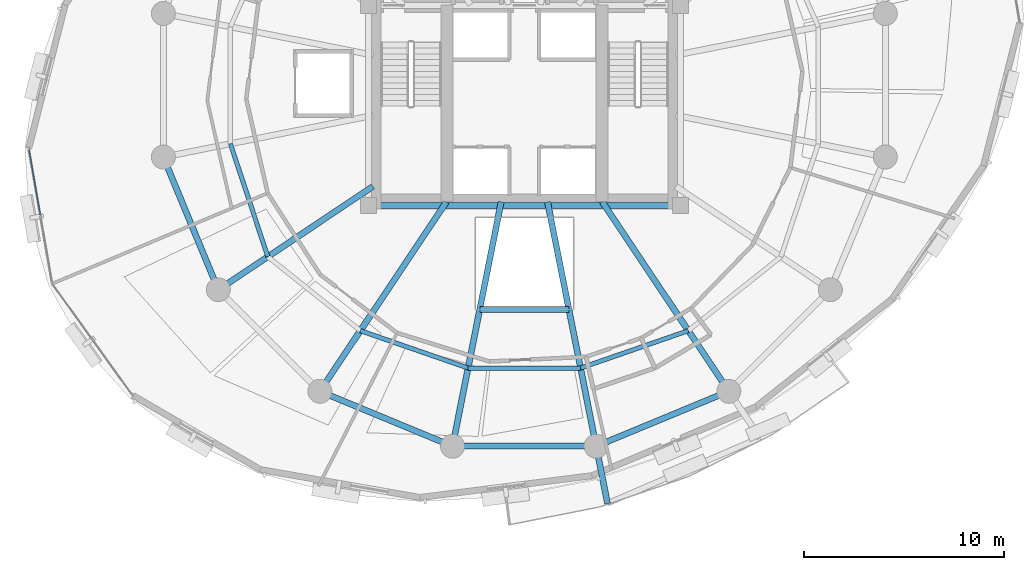
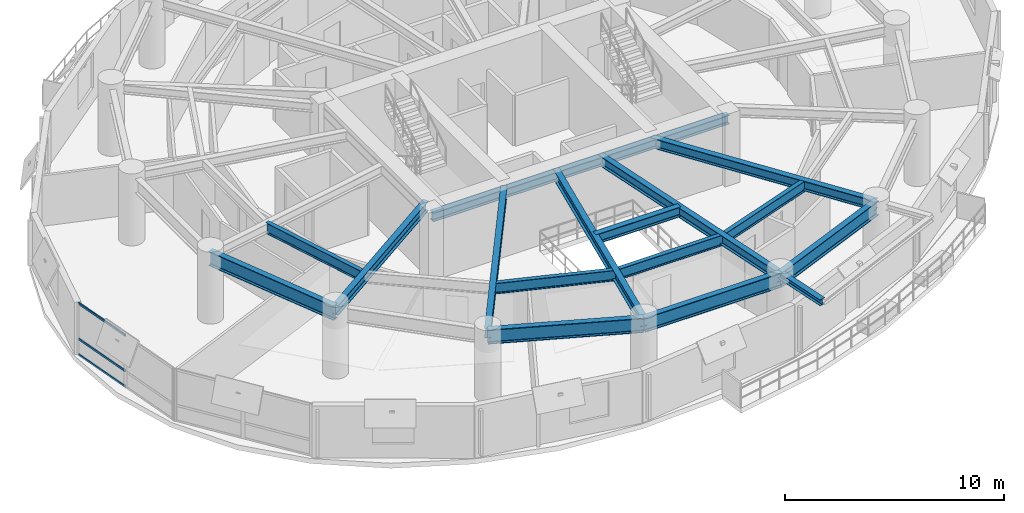
# One storey, part 3 of 14: 16 beams, 3 members, 1 element without a shape of its own.
"""IFC4 building model written with IfcOpenShell, lengths in metres."""

from ifc_helpers import new_model, si_unit, direction, frame, origin, origin_2d, place, context, subcontext, project, spatial, hollow_rectangle, i_section, extrude, material, layer, layer_set, material_profile, profile_set, type_object, element, aggregate, save


model = new_model("IFC4")

# Units and contexts
model_context = context("Model", 3, precision=1e-05, world=origin(), true_north=direction((0.0, 1.0)))
body_context = subcontext(model_context, "Body", "Model", "MODEL_VIEW")
ifc_project = project(units=[si_unit("LENGTHUNIT", "METRE"), si_unit("AREAUNIT", "SQUARE_METRE"), si_unit("VOLUMEUNIT", "CUBIC_METRE"), si_unit("PLANEANGLEUNIT", "RADIAN"), si_unit("MASSUNIT", "GRAM", prefix="KILO"), si_unit("THERMODYNAMICTEMPERATUREUNIT", "KELVIN"), si_unit("POWERUNIT", "WATT")], contexts=[model_context])

# Site, building, storey
site_placement = place(None, origin())
site = spatial("IfcSite", under=ifc_project, at=site_placement, CompositionType="ELEMENT")
building_placement = place(site_placement, origin())
building = spatial("IfcBuilding", under=site, at=building_placement, Name="Ocrelia Relay Tower", CompositionType="ELEMENT")
storey_placement = place(building_placement, frame((0.0, 0.0, 129.800048828125)))
storey = spatial("IfcBuildingStorey", under=building, at=storey_placement, Name="L30", CompositionType="ELEMENT", Elevation=129.800048828125)

# Beams
ifc_material_1 = material(Name="Steel S355", Category="steel")
ifc_material_profile_1 = material_profile(ifc_material_1, i_section(OverallWidth=0.300048828125, OverallDepth=0.330078125, WebThickness=0.009521484375, FlangeThickness=0.0166015625, FilletRadius=0.027099609375, at=origin_2d()), Name="HEA 340")
ifc_profile_set_1 = profile_set([ifc_material_profile_1], Name="Steel S355")
beam_type_1 = type_object("IfcBeamType", Name="BM-HEA340", PredefinedType="BEAM", material=ifc_profile_set_1)
beam_1_placement = place(storey_placement, frame((37.589599609375, 7.95361328125, 3.554931640625), z_axis=(0.195086850553, -0.980785970914, 0.0), x_axis=(0.980785970914, 0.195086850553, 0.0)))
element("IfcBeam", 1, at=beam_1_placement, inside=storey, type_object=beam_type_1, Name="L31 Balcony Cantilever Beam B2-1", PredefinedType="BEAM", context=body_context, shape_type="SweptSolid", body=[
    extrude(i_section(OverallWidth=0.300048828125, OverallDepth=0.330078125, WebThickness=0.009521484375, FlangeThickness=0.0166015625, FilletRadius=0.027099609375, at=origin_2d()), origin(), (0.0, 0.0, 1.0), 2.919677734375),
])
ifc_material_profile_2 = material_profile(ifc_material_1, i_section(OverallWidth=0.300048828125, OverallDepth=0.5, WebThickness=0.014404296875, FlangeThickness=0.028076171875, FilletRadius=0.027099609375, at=origin_2d()), Name="HEB 500")
ifc_profile_set_2 = profile_set([ifc_material_profile_2], Name="Steel S355")
beam_type_2 = type_object("IfcBeamType", Name="BM-HEB500", PredefinedType="BEAM", material=ifc_profile_set_2)
beam_2_placement = place(storey_placement, frame((26.199951171875, 20.0, 3.469970703125), z_axis=(1.0, 0.0, 0.0), x_axis=(0.0, 1.0, 0.0)))
element("IfcBeam", 2, at=beam_2_placement, inside=storey, type_object=beam_type_2, Name="L30 Core Pilaster Tie Beam S", PredefinedType="BEAM", context=body_context, shape_type="SweptSolid", body=[
    extrude(i_section(OverallWidth=0.300048828125, OverallDepth=0.5, WebThickness=0.014404296875, FlangeThickness=0.028076171875, FilletRadius=0.027099609375, at=origin_2d()), origin(), (0.0, 0.0, 1.0), 15.60009765625),
])
ifc_material_profile_3 = material_profile(ifc_material_1, i_section(OverallWidth=0.300048828125, OverallDepth=0.550048828125, WebThickness=0.014892578125, FlangeThickness=0.029052734375, FilletRadius=0.027099609375, at=origin_2d()), Name="HEB 550")
ifc_profile_set_3 = profile_set([ifc_material_profile_3], Name="Steel S355")
beam_type_3 = type_object("IfcBeamType", Name="BM-HEB550", PredefinedType="BEAM", material=ifc_profile_set_3)
beam_3_placement = place(storey_placement, frame((18.700927734375, 15.777587890625, 3.445068359375), z_axis=(0.831472030531, 0.555566613868, 0.0), x_axis=(-0.555566613868, 0.831472030531, 0.0)))
element("IfcBeam", 3, at=beam_3_placement, inside=storey, type_object=beam_type_3, Name="L30 Radial Floor Girder R10", PredefinedType="BEAM", context=body_context, shape_type="SweptSolid", body=[
    extrude(i_section(OverallWidth=0.300048828125, OverallDepth=0.550048828125, WebThickness=0.014892578125, FlangeThickness=0.029052734375, FilletRadius=0.027099609375, at=origin_2d()), origin(), (0.0, 0.0, 1.0), 9.295654296875),
])
beam_4_placement = place(storey_placement, frame((23.777587890625, 10.700927734375, 3.445068359375), z_axis=(0.555565661158, 0.831472667105, 0.0), x_axis=(-0.831472667105, 0.555565661158, 0.0)))
element("IfcBeam", 4, at=beam_4_placement, inside=storey, type_object=beam_type_3, Name="L30 Radial Floor Girder R11", PredefinedType="BEAM", context=body_context, shape_type="SweptSolid", body=[
    extrude(i_section(OverallWidth=0.300048828125, OverallDepth=0.550048828125, WebThickness=0.014892578125, FlangeThickness=0.029052734375, FilletRadius=0.027099609375, at=origin_2d()), origin(), (0.0, 0.0, 1.0), 11.38818359375),
])
for number, where, z_axis, x_axis, name in (
    (5, (30.410400390625, 7.95361328125, 3.445068359375), (0.195086983979, 0.980785944374, 0.0), (-0.980785944374, 0.195086983979, 0.0), "L30 Radial Floor Girder R12"),
    (6, (37.589599609375, 7.95361328125, 3.445068359375), (-0.195086983979, 0.980785944374, 0.0), (-0.980785944374, -0.195086983979, 0.0), "L30 Radial Floor Girder R13"),
):
    element("IfcBeam", number, at=place(storey_placement, frame(where, z_axis=z_axis, x_axis=x_axis)), inside=storey, type_object=beam_type_3, Name=name, PredefinedType="BEAM", context=body_context, shape_type="SweptSolid", body=[
        extrude(i_section(OverallWidth=0.300048828125, OverallDepth=0.550048828125, WebThickness=0.014892578125, FlangeThickness=0.029052734375, FilletRadius=0.027099609375, at=origin_2d()), origin(), (0.0, 0.0, 1.0), 12.45556640625),
    ])
beam_5_placement = place(storey_placement, frame((44.222412109375, 10.700927734375, 3.445068359375), z_axis=(-0.555565661158, 0.831472667105, 0.0), x_axis=(-0.831472667105, -0.555565661158, 0.0)))
element("IfcBeam", 7, at=beam_5_placement, inside=storey, type_object=beam_type_3, Name="L30 Radial Floor Girder R14", PredefinedType="BEAM", context=body_context, shape_type="SweptSolid", body=[
    extrude(i_section(OverallWidth=0.300048828125, OverallDepth=0.550048828125, WebThickness=0.014892578125, FlangeThickness=0.029052734375, FilletRadius=0.027099609375, at=origin_2d()), origin(), (0.0, 0.0, 1.0), 11.38818359375),
])
beam_6_placement = place(storey_placement, frame((31.772216796875, 14.800048828125, 3.445068359375), z_axis=(1.0, 0.0, 0.0), x_axis=(0.0, 1.0, 0.0)))
element("IfcBeam", 8, at=beam_6_placement, inside=storey, type_object=beam_type_3, Name="L30 Atrium South Trimmer Beam", PredefinedType="BEAM", context=body_context, shape_type="SweptSolid", body=[
    extrude(i_section(OverallWidth=0.300048828125, OverallDepth=0.550048828125, WebThickness=0.014892578125, FlangeThickness=0.029052734375, FilletRadius=0.027099609375, at=origin_2d()), origin(), (0.0, 0.0, 1.0), 4.45556640625),
])
ifc_material_profile_4 = material_profile(ifc_material_1, i_section(OverallWidth=0.300048828125, OverallDepth=0.800048828125, WebThickness=0.017578125, FlangeThickness=0.032958984375, FilletRadius=0.030029296875, at=origin_2d()), Name="HEB 800")
ifc_profile_set_4 = profile_set([ifc_material_profile_4], Name="Steel S355")
beam_type_4 = type_object("IfcBeamType", Name="BM-HEB800", PredefinedType="BEAM", material=ifc_profile_set_4)
for number, where, z_axis, x_axis, name in (
    (9, (15.95361328125, 22.410400390625, 3.320068359375), (0.382673155247, -0.923883789366, 0.0), (0.923883789366, 0.382673155247, 0.0), "L30 Perimeter Spandrel Beam S09"),
    (10, (23.777587890625, 10.700927734375, 3.320068359375), (0.923883789366, -0.382673155247, 0.0), (0.382673155247, 0.923883789366, 0.0), "L30 Perimeter Spandrel Beam S11"),
    (11, (30.410400390625, 7.95361328125, 3.320068359375), (1.0, 0.0, 0.0), (0.0, 1.0, 0.0), "L30 Perimeter Spandrel Beam S12"),
    (12, (37.589599609375, 7.95361328125, 3.320068359375), (0.923883789366, 0.382673155247, 0.0), (-0.382673155247, 0.923883789366, 0.0), "L30 Perimeter Spandrel Beam S13"),
):
    element("IfcBeam", number, at=place(storey_placement, frame(where, z_axis=z_axis, x_axis=x_axis)), inside=storey, type_object=beam_type_4, Name=name, PredefinedType="BEAM", context=body_context, shape_type="SweptSolid", body=[
        extrude(i_section(OverallWidth=0.300048828125, OverallDepth=0.800048828125, WebThickness=0.017578125, FlangeThickness=0.032958984375, FilletRadius=0.030029296875, at=origin_2d()), origin(), (0.0, 0.0, 1.0), 7.17919921875),
    ])
ifc_material_profile_5 = material_profile(ifc_material_1, i_section(OverallWidth=0.219970703125, OverallDepth=0.60009765625, WebThickness=0.011962890625, FlangeThickness=0.01904296875, FilletRadius=0.02392578125, at=origin_2d()), Name="IPE 600")
ifc_profile_set_5 = profile_set([ifc_material_profile_5], Name="Steel S355")
beam_type_5 = type_object("IfcBeamType", Name="BM-IPE600", PredefinedType="JOIST", material=ifc_profile_set_5)
beam_7_placement = place(storey_placement, frame((19.305908203125, 23.0771484375, 3.419921875), z_axis=(0.314121352003, -0.949382839647, 0.0), x_axis=(0.949382839647, 0.314121352003, 0.0)))
element("IfcBeam", 13, at=beam_7_placement, inside=storey, type_object=beam_type_5, Name="L30 Secondary Floor Joist J09", PredefinedType="JOIST", context=body_context, shape_type="SweptSolid", body=[
    extrude(i_section(OverallWidth=0.219970703125, OverallDepth=0.60009765625, WebThickness=0.011962890625, FlangeThickness=0.01904296875, FilletRadius=0.02392578125, at=origin_2d()), origin(), (0.0, 0.0, 1.0), 5.947998046875),
])
beam_8_placement = place(storey_placement, frame((25.802001953125, 13.731201171875, 3.419921875), z_axis=(0.944767437111, -0.327741498401, 0.0), x_axis=(0.327741498401, 0.944767437111, 0.0)))
element("IfcBeam", 14, at=beam_8_placement, inside=storey, type_object=beam_type_5, Name="L30 Secondary Floor Joist J11", PredefinedType="JOIST", context=body_context, shape_type="SweptSolid", body=[
    extrude(i_section(OverallWidth=0.219970703125, OverallDepth=0.60009765625, WebThickness=0.011962890625, FlangeThickness=0.01904296875, FilletRadius=0.02392578125, at=origin_2d()), origin(), (0.0, 0.0, 1.0), 5.700927734375),
])
beam_9_placement = place(storey_placement, frame((31.18798828125, 11.86279296875, 3.419921875), z_axis=(1.0, 0.0, 0.0), x_axis=(0.0, 1.0, 0.0)))
element("IfcBeam", 15, at=beam_9_placement, inside=storey, type_object=beam_type_5, Name="L30 Secondary Floor Joist J12", PredefinedType="JOIST", context=body_context, shape_type="SweptSolid", body=[
    extrude(i_section(OverallWidth=0.219970703125, OverallDepth=0.60009765625, WebThickness=0.011962890625, FlangeThickness=0.01904296875, FilletRadius=0.02392578125, at=origin_2d()), origin(), (0.0, 0.0, 1.0), 5.6240234375),
])
beam_10_placement = place(storey_placement, frame((36.81201171875, 11.86279296875, 3.419921875), z_axis=(0.944767437111, 0.327741498401, 0.0), x_axis=(-0.327741498401, 0.944767437111, 0.0)))
element("IfcBeam", 16, at=beam_10_placement, inside=storey, type_object=beam_type_5, Name="L30 Secondary Floor Joist J13", PredefinedType="JOIST", context=body_context, shape_type="SweptSolid", body=[
    extrude(i_section(OverallWidth=0.219970703125, OverallDepth=0.60009765625, WebThickness=0.011962890625, FlangeThickness=0.01904296875, FilletRadius=0.02392578125, at=origin_2d()), origin(), (0.0, 0.0, 1.0), 5.700927734375),
])

# Curtain wall, members
ifc_material_2 = material(Name="Aluminium and solar-control low-E glass", Category="aluminium")
ifc_layer = layer(ifc_material_2, 0.179931640625, Name="Aluminium and solar-control low-E glass")
ifc_layer_set = layer_set([ifc_layer], Name="Aluminium and solar-control low-E glass")
curtain_wall_type = type_object("IfcCurtainWallType", Name="CW-SYS-Z2-SWIT", PredefinedType="NOTDEFINED", material=ifc_layer_set)
curtain_wall_placement = place(storey_placement, origin())
curtain_wall = element("IfcCurtainWall", 17, at=curtain_wall_placement, inside=storey, type_object=curtain_wall_type, Name="L30 Elliptical Tower Curtain Wall Bay 09", PredefinedType="NOTDEFINED")
ifc_material_3 = material(Name="Anodised bronze aluminium", Category="aluminium")
ifc_material_profile_6 = material_profile(ifc_material_3, hollow_rectangle(XDim=0.06005859375, YDim=0.1201171875, WallThickness=0.0048828125, at=origin_2d()), Name="CW-TRN-120x60")
ifc_profile_set_6 = profile_set([ifc_material_profile_6], Name="Anodised bronze aluminium")
member_type = type_object("IfcMemberType", Name="CW-SYS-Z2-SWIT-TRN", PredefinedType="USERDEFINED", material=ifc_profile_set_6)
member_1_placement = place(storey_placement, frame((9.23779296875, 22.788818359375, 0.030029296875), z_axis=(0.170735546646, -0.985316889692, 0.0), x_axis=(0.985316889692, 0.170735546646, 0.0)))
member_1 = element("IfcMember", 18, at=member_1_placement, type_object=member_type, Name="CW-Z2 transom 1.1", ObjectType="TRANSOM", PredefinedType="USERDEFINED", context=body_context, shape_type="SweptSolid", body=[
    extrude(hollow_rectangle(XDim=0.06005859375, YDim=0.1201171875, WallThickness=0.0048828125, at=origin_2d()), origin(), (0.0, 0.0, 1.0), 3.334716796875),
])
member_2_placement = place(storey_placement, frame((9.23779296875, 22.788818359375, 0.89990234375), z_axis=(0.170735546646, -0.985316889692, 0.0), x_axis=(0.985316889692, 0.170735546646, 0.0)))
member_2 = element("IfcMember", 19, at=member_2_placement, type_object=member_type, Name="CW-Z2 transom 1.2", ObjectType="TRANSOM", PredefinedType="USERDEFINED", context=body_context, shape_type="SweptSolid", body=[
    extrude(hollow_rectangle(XDim=0.06005859375, YDim=0.1201171875, WallThickness=0.0048828125, at=origin_2d()), origin(), (0.0, 0.0, 1.0), 3.334716796875),
])
member_3_placement = place(storey_placement, frame((9.23779296875, 22.788818359375, 2.869873046875), z_axis=(0.170735546646, -0.985316889692, 0.0), x_axis=(0.985316889692, 0.170735546646, 0.0)))
member_3 = element("IfcMember", 20, at=member_3_placement, type_object=member_type, Name="CW-Z2 transom 1.3", ObjectType="TRANSOM", PredefinedType="USERDEFINED", context=body_context, shape_type="SweptSolid", body=[
    extrude(hollow_rectangle(XDim=0.06005859375, YDim=0.1201171875, WallThickness=0.0048828125, at=origin_2d()), origin(), (0.0, 0.0, 1.0), 3.334716796875),
])
aggregate(curtain_wall, [member_1, member_2, member_3])

save(model, "model.ifc")
